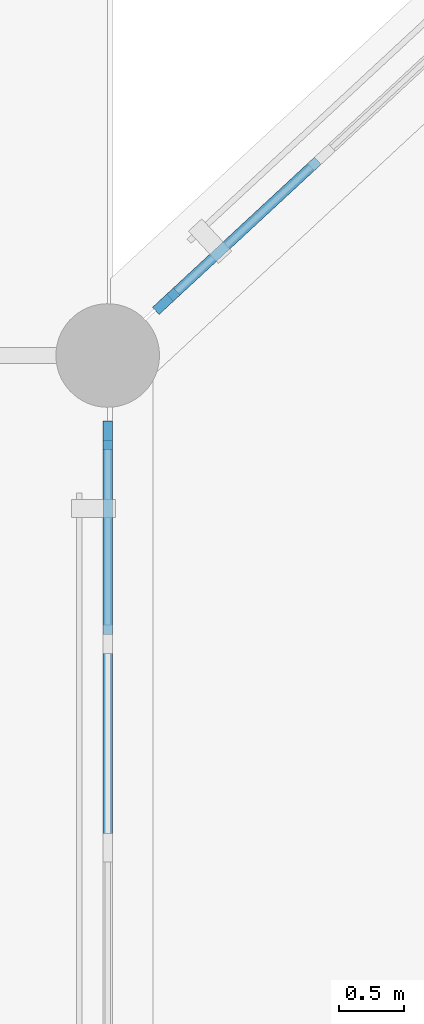
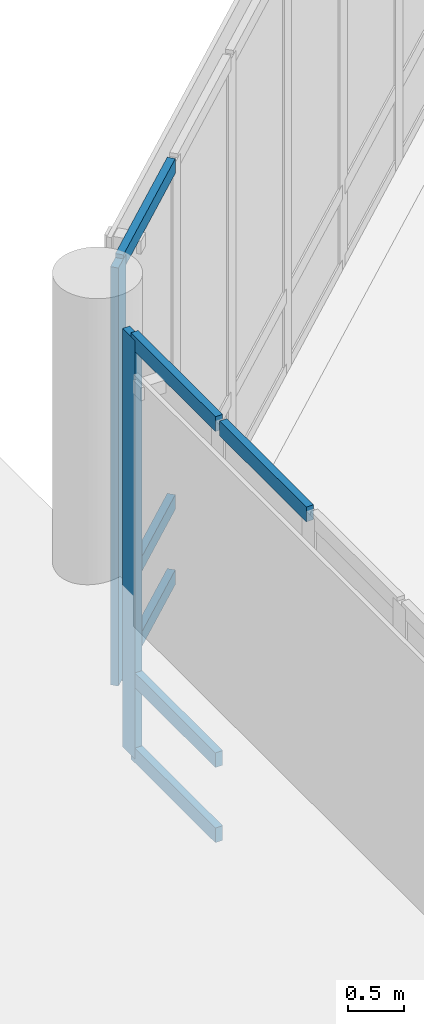
# One storey, part 13 of 57: 9 members, 2 elements without a shape of their own.
"""IFC4 building model written with IfcOpenShell, lengths in metres."""

from ifc_helpers import new_model, si_unit, direction, frame, origin, origin_2d, place, context, subcontext, project, spatial, rectangle, extrude, material, material_profile, profile_set, type_object, element, aggregate, save


model = new_model("IFC4")

# Units and contexts
model_context = context("Model", 3, precision=1e-05, world=origin(), true_north=direction((0.0, 1.0)))
body_context = subcontext(model_context, "Body", "Model", "MODEL_VIEW")
ifc_project = project(units=[si_unit("LENGTHUNIT", "METRE"), si_unit("AREAUNIT", "SQUARE_METRE"), si_unit("VOLUMEUNIT", "CUBIC_METRE"), si_unit("PLANEANGLEUNIT", "RADIAN"), si_unit("MASSUNIT", "GRAM", prefix="KILO")], contexts=[model_context])

# Site, building, storey
site_placement = place(None, origin())
site = spatial("IfcSite", under=ifc_project, at=site_placement, CompositionType="ELEMENT")
building_placement = place(site_placement, origin())
building = spatial("IfcBuilding", under=site, at=building_placement, Name="Qandaris Square Conservatory and Botanical Centre", CompositionType="ELEMENT")
storey_placement = place(building_placement, frame((0.0, 0.0, 5.39990234375)))
storey = spatial("IfcBuildingStorey", under=building, at=storey_placement, Name="L01", CompositionType="ELEMENT", Elevation=5.39990234375)

# Curtain wall, member
ifc_material = material(Name="Anodised Aluminium", Category="aluminium")
curtain_wall_type_1 = type_object("IfcCurtainWallType", Name="Unitised Curtain Wall CW-1-1002x452", PredefinedType="USERDEFINED", material=ifc_material)
curtain_wall_1_placement = place(storey_placement, origin())
curtain_wall_1 = element("IfcCurtainWall", 1, at=curtain_wall_1_placement, inside=storey, type_object=curtain_wall_type_1, Name="Curtain Wall CW-CON-L01-6-1", ObjectType="GLAZED CURTAIN WALL", PredefinedType="USERDEFINED")
ifc_material_profile_1 = material_profile(ifc_material, rectangle(XDim=0.074951171875, YDim=0.219970703125, at=origin_2d()), Name="ALU-MUL 75x220")
ifc_profile_set_1 = profile_set([ifc_material_profile_1], Name="Anodised Aluminium")
member_type_1 = type_object("IfcMemberType", Name="Conservatory Heavy Mullion 75x220", PredefinedType="MULLION", material=ifc_profile_set_1)
member_1_placement = place(storey_placement, frame((16.65283203125, 108.2197265625, 0.0), z_axis=(0.0, 0.0, 1.0), x_axis=(0.679761784592, -0.733432966404, 0.0)))
member_1 = element("IfcMember", 2, at=member_1_placement, type_object=member_type_1, Name="CW-1-1002x452 mullion 7", PredefinedType="MULLION", context=body_context, shape_type="SweptSolid", body=[
    extrude(rectangle(XDim=0.074951171875, YDim=0.219970703125, at=origin_2d()), origin(), (0.0, 0.0, 1.0), 4.52001953125),
])

curtain_wall_type_2 = type_object("IfcCurtainWallType", Name="Unitised Curtain Wall CW-1-644x452", PredefinedType="USERDEFINED", material=ifc_material)
curtain_wall_2_placement = place(storey_placement, origin())
curtain_wall_2 = element("IfcCurtainWall", 3, at=curtain_wall_2_placement, inside=storey, type_object=curtain_wall_type_2, Name="Curtain Wall CW-CON-L01-7-1", ObjectType="GLAZED CURTAIN WALL", PredefinedType="USERDEFINED")
member_2_placement = place(storey_placement, frame((16.199951171875, 107.1826171875, 0.0), z_axis=(0.0, 0.0, 1.0), x_axis=(1.0, 0.0, 0.0)))
member_2 = element("IfcMember", 4, at=member_2_placement, type_object=member_type_1, Name="CW-1-644x452 mullion 1", PredefinedType="MULLION", context=body_context, shape_type="SweptSolid", body=[
    extrude(rectangle(XDim=0.074951171875, YDim=0.219970703125, at=origin_2d()), origin(), (0.0, 0.0, 1.0), 4.52001953125),
])

# Member
ifc_material_profile_2 = material_profile(ifc_material, rectangle(XDim=0.074951171875, YDim=0.159912109375, at=origin_2d()), Name="ALU-TRN 75x160")
ifc_profile_set_2 = profile_set([ifc_material_profile_2], Name="Anodised Aluminium")
member_type_2 = type_object("IfcMemberType", Name="Conservatory Heavy Transom 75x160", PredefinedType="USERDEFINED", material=ifc_profile_set_2)
member_3_placement = place(storey_placement, frame((17.82275390625, 109.303955078125, 0.03759765625), z_axis=(-0.7334798559, -0.679711189395, 0.0), x_axis=(0.679711189395, -0.7334798559, 0.0)))
member_3 = element("IfcMember", 5, at=member_3_placement, type_object=member_type_2, Name="CW-1-1002x452 transom 6.1", ObjectType="TRANSOM", PredefinedType="USERDEFINED", context=body_context, shape_type="SweptSolid", body=[
    extrude(rectangle(XDim=0.074951171875, YDim=0.159912109375, at=origin_2d()), origin(), (0.0, 0.0, 1.0), 1.557373046875),
])

member_4_placement = place(storey_placement, frame((17.82275390625, 109.303955078125, 0.85009765625), z_axis=(-0.7334798559, -0.679711189395, 0.0), x_axis=(0.679711189395, -0.7334798559, 0.0)))
member_4 = element("IfcMember", 6, at=member_4_placement, type_object=member_type_2, Name="CW-1-1002x452 transom 6.2", ObjectType="TRANSOM", PredefinedType="USERDEFINED", context=body_context, shape_type="SweptSolid", body=[
    extrude(rectangle(XDim=0.074951171875, YDim=0.159912109375, at=origin_2d()), origin(), (0.0, 0.0, 1.0), 1.557373046875),
])

member_5_placement = place(storey_placement, frame((17.82275390625, 109.303955078125, 4.482666015625), z_axis=(-0.7334798559, -0.679711189395, 0.0), x_axis=(0.679711189395, -0.7334798559, 0.0)))
member_5 = element("IfcMember", 7, at=member_5_placement, type_object=member_type_2, Name="CW-1-1002x452 transom 6.3", ObjectType="TRANSOM", PredefinedType="USERDEFINED", context=body_context, shape_type="SweptSolid", body=[
    extrude(rectangle(XDim=0.074951171875, YDim=0.159912109375, at=origin_2d()), origin(), (0.0, 0.0, 1.0), 1.557373046875),
])

aggregate(curtain_wall_1, [member_1, member_3, member_4, member_5])

member_6_placement = place(storey_placement, frame((16.199951171875, 107.14501953125, 0.03759765625), z_axis=(0.0, -1.0, 0.0), x_axis=(1.0, 0.0, 0.0)))
member_6 = element("IfcMember", 8, at=member_6_placement, type_object=member_type_2, Name="CW-1-644x452 transom 1.1", ObjectType="TRANSOM", PredefinedType="USERDEFINED", context=body_context, shape_type="SweptSolid", body=[
    extrude(rectangle(XDim=0.074951171875, YDim=0.159912109375, at=origin_2d()), origin(), (0.0, 0.0, 1.0), 1.49755859375),
])

member_7_placement = place(storey_placement, frame((16.199951171875, 107.14501953125, 0.85009765625), z_axis=(0.0, -1.0, 0.0), x_axis=(1.0, 0.0, 0.0)))
member_7 = element("IfcMember", 9, at=member_7_placement, type_object=member_type_2, Name="CW-1-644x452 transom 1.2", ObjectType="TRANSOM", PredefinedType="USERDEFINED", context=body_context, shape_type="SweptSolid", body=[
    extrude(rectangle(XDim=0.074951171875, YDim=0.159912109375, at=origin_2d()), origin(), (0.0, 0.0, 1.0), 1.49755859375),
])

member_8_placement = place(storey_placement, frame((16.199951171875, 107.14501953125, 4.482666015625), z_axis=(0.0, -1.0, 0.0), x_axis=(1.0, 0.0, 0.0)))
member_8 = element("IfcMember", 10, at=member_8_placement, type_object=member_type_2, Name="CW-1-644x452 transom 1.3", ObjectType="TRANSOM", PredefinedType="USERDEFINED", context=body_context, shape_type="SweptSolid", body=[
    extrude(rectangle(XDim=0.074951171875, YDim=0.159912109375, at=origin_2d()), origin(), (0.0, 0.0, 1.0), 1.49755859375),
])

member_9_placement = place(storey_placement, frame((16.199951171875, 105.572509765625, 4.482666015625), z_axis=(0.0, -1.0, 0.0), x_axis=(1.0, 0.0, 0.0)))
member_9 = element("IfcMember", 11, at=member_9_placement, type_object=member_type_2, Name="CW-1-644x452 transom 2.3", ObjectType="TRANSOM", PredefinedType="USERDEFINED", context=body_context, shape_type="SweptSolid", body=[
    extrude(rectangle(XDim=0.074951171875, YDim=0.159912109375, at=origin_2d()), origin(), (0.0, 0.0, 1.0), 1.534912109375),
])

aggregate(curtain_wall_2, [member_2, member_6, member_7, member_8, member_9])

save(model, "model.ifc")
